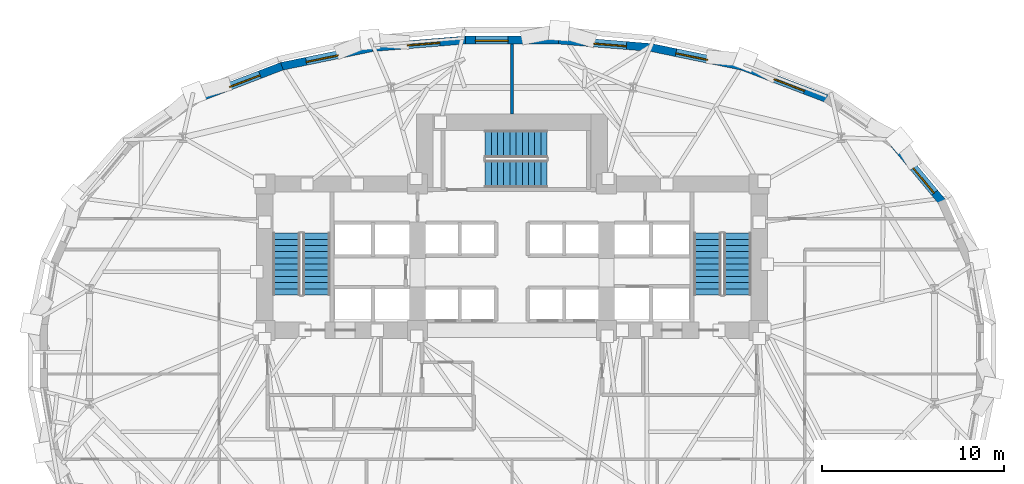
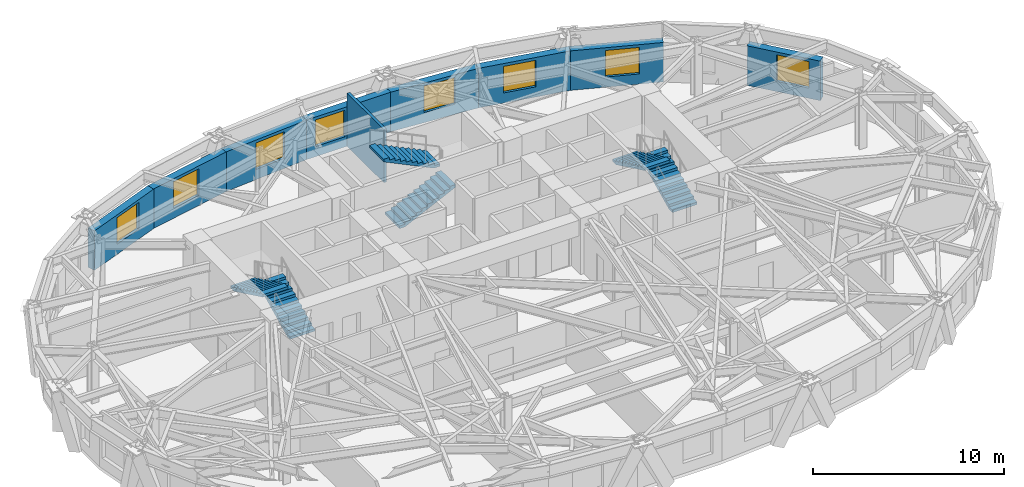
# One storey, part 9 of 13: 9 walls, 8 windows, 6 stair flights, 8 openings, 3 elements without a shape of their own.
"""IFC4 building model written with IfcOpenShell, lengths in metres."""

from ifc_helpers import new_model, si_unit, direction, frame, frame_2d, origin, place, context, subcontext, project, spatial, polyline, rectangle, outline, extrude, material, layer, layer_set, type_object, element, fill, aggregate, save


model = new_model("IFC4")

# Units and contexts
model_context = context("Model", 3, precision=1e-05, world=origin(), true_north=direction((0.0, 1.0)))
body_context = subcontext(model_context, "Body", "Model", "MODEL_VIEW")
ifc_project = project(units=[si_unit("LENGTHUNIT", "METRE"), si_unit("AREAUNIT", "SQUARE_METRE"), si_unit("VOLUMEUNIT", "CUBIC_METRE"), si_unit("PLANEANGLEUNIT", "RADIAN"), si_unit("MASSUNIT", "GRAM", prefix="KILO")], contexts=[model_context])

# Site, building, storey
site_placement = place(None, origin())
site = spatial("IfcSite", under=ifc_project, at=site_placement, CompositionType="ELEMENT")
building_placement = place(site_placement, origin())
building = spatial("IfcBuilding", under=site, at=building_placement, Name="Keldmark Tower", CompositionType="ELEMENT")
storey_placement = place(building_placement, frame((0.0, 0.0, 34.199951171875)))
storey = spatial("IfcBuildingStorey", under=building, at=storey_placement, Name="L08", CompositionType="ELEMENT", Elevation=34.199951171875)

# Wall
ifc_material_1 = material(Name="STC-58 Insulated Tenant Demising Gypsum Partition", Category="gypsum")
ifc_layer_1 = layer(ifc_material_1, 0.175048828125)
ifc_layer_set_1 = layer_set([ifc_layer_1], Name="STC-58 Insulated Tenant Demising Gypsum Partition")
wall_type_1 = type_object("IfcWallType", Name="Demising Suite Partition 175 mm", PredefinedType="PARTITIONING", material=ifc_layer_set_1)
wall_1_placement = place(storey_placement, frame((0.0, 13.300048828125, 0.0), z_axis=(0.0, 0.0, 1.0), x_axis=(0.0, 1.0, 0.0)))
element("IfcWall", 1, at=wall_1_placement, inside=storey, type_object=wall_type_1, Name="L08 Demising Suite Partition 175 mm N-MID-DIV", PredefinedType="PARTITIONING", context=body_context, shape_type="SweptSolid", body=[
    extrude(rectangle(XDim=3.84814453125, YDim=0.175048828125, at=frame_2d((1.924072265625, 0.0))), origin(), (0.0, 0.0, 1.0), 3.400146484375),
])

# Wall, opening, window
ifc_material_2 = material(Name="Ironspot Manganese Brick and Kasota Buff Limestone Spandrel Assembly", Category="masonry")
ifc_layer_2 = layer(ifc_material_2, 0.43994140625)
ifc_layer_set_2 = layer_set([ifc_layer_2], Name="Ironspot Manganese Brick and Kasota Buff Limestone Spandrel Assembly")
wall_type_2 = type_object("IfcWallType", Name="Tower Brick Pier and Spandrel Wall 440 mm", PredefinedType="STANDARD", material=ifc_layer_set_2)
wall_2_placement = place(storey_placement, frame((21.029296875, 11.640625, 0.0), z_axis=(0.0, 0.0, 1.0), x_axis=(0.64070435578, -0.767787684509, 0.0)))
wall_2 = element("IfcWall", 2, at=wall_2_placement, inside=storey, type_object=wall_type_2, Name="L08 Exterior Brick and Spandrel Wall 03", PredefinedType="STANDARD", context=body_context, shape_type="SweptSolid", body=[
    extrude(rectangle(XDim=4.109130859375, YDim=0.43994140625, at=frame_2d((2.0546875, 0.0))), origin(), (0.0, 0.0, 1.0), 2.532958984375),
])
opening_1_placement = place(wall_2_placement, frame((1.668701171875, 0.0, 0.64990234375)))
opening_1 = element("IfcOpeningElement", 3, at=opening_1_placement, cuts=wall_2, Name="Opening W-02", PredefinedType="OPENING", context=body_context, shape_type="SweptSolid", body=[
    extrude(rectangle(XDim=1.800048828125, YDim=1.699951171875, at=frame_2d((0.89990234375, 0.85009765625))), frame((0.0, 0.22998046875, 0.0), z_axis=(0.0, -1.0, 0.0), x_axis=(1.0, 0.0, 0.0)), (0.0, 0.0, 1.0), 0.4599609375),
])
ifc_material_3 = material(Name="Thermally Broken Anodized Aluminum and Triple Low-E Argon Glazing", Category="aluminium")
window_type = type_object("IfcWindowType", Name="Office Deep-Set Triple Window 1800x1700", PartitioningType="TRIPLE_PANEL_VERTICAL", PredefinedType="WINDOW", material=ifc_material_3)
window_1_placement = place(opening_1_placement, origin())
window_1 = element("IfcWindow", 4, at=window_1_placement, inside=storey, type_object=window_type, Name="L08 Deep-Set Window 03", OverallHeight=1.699951171875, OverallWidth=1.800048828125, PartitioningType="SINGLE_PANEL", PredefinedType="WINDOW", context=body_context, shape_type="SweptSolid", body=[
    extrude(rectangle(XDim=1.800048828125, YDim=1.699951171875, at=frame_2d((0.89990234375, 0.85009765625))), frame((0.0, -0.010009765625, 0.0), z_axis=(0.0, -1.0, 0.0), x_axis=(1.0, 0.0, 0.0)), (0.0, 0.0, 1.0), 0.06005859375),
])
fill(opening_1, window_1)

wall_3_placement = place(storey_placement, frame((12.659423828125, 15.93359375, 0.0), z_axis=(0.0, 0.0, 1.0), x_axis=(0.933928375579, -0.357460192592, 0.0)))
wall_3 = element("IfcWall", 5, at=wall_3_placement, inside=storey, type_object=wall_type_2, Name="L08 Exterior Brick and Spandrel Wall 05", PredefinedType="STANDARD", context=body_context, shape_type="SweptSolid", body=[
    extrude(rectangle(XDim=4.988525390625, YDim=0.43994140625, at=frame_2d((2.494140625, 0.0))), origin(), (0.0, 0.0, 1.0), 2.529052734375),
])
opening_2_placement = place(wall_3_placement, frame((1.89306640625, 0.0, 0.64990234375)))
opening_2 = element("IfcOpeningElement", 6, at=opening_2_placement, cuts=wall_3, Name="Opening W-02", PredefinedType="OPENING", context=body_context, shape_type="SweptSolid", body=[
    extrude(rectangle(XDim=1.800048828125, YDim=1.699951171875, at=frame_2d((0.89990234375, 0.85009765625))), frame((0.0, 0.22998046875, 0.0), z_axis=(0.0, -1.0, 0.0), x_axis=(1.0, 0.0, 0.0)), (0.0, 0.0, 1.0), 0.4599609375),
])
window_2_placement = place(opening_2_placement, origin())
window_2 = element("IfcWindow", 7, at=window_2_placement, inside=storey, type_object=window_type, Name="L08 Deep-Set Window 05", OverallHeight=1.699951171875, OverallWidth=1.800048828125, PartitioningType="SINGLE_PANEL", PredefinedType="WINDOW", context=body_context, shape_type="SweptSolid", body=[
    extrude(rectangle(XDim=1.800048828125, YDim=1.699951171875, at=frame_2d((0.89990234375, 0.85009765625))), frame((0.0, -0.010009765625, 0.0), z_axis=(0.0, -1.0, 0.0), x_axis=(1.0, 0.0, 0.0)), (0.0, 0.0, 1.0), 0.06005859375),
])
fill(opening_2, window_2)

wall_4_placement = place(storey_placement, frame((7.65087890625, 16.964599609375, 0.0), z_axis=(0.0, 0.0, 1.0), x_axis=(0.979349207435, -0.202175987437, 0.0)))
wall_4 = element("IfcWall", 8, at=wall_4_placement, inside=storey, type_object=wall_type_2, Name="L08 Exterior Brick and Spandrel Wall 06", PredefinedType="STANDARD", context=body_context, shape_type="SweptSolid", body=[
    extrude(rectangle(XDim=5.149169921875, YDim=0.43994140625, at=frame_2d((2.57470703125, 0.0))), origin(), (0.0, 0.0, 1.0), 2.532958984375),
])
opening_3_placement = place(wall_4_placement, frame((1.399658203125, 0.0, 0.64990234375)))
opening_3 = element("IfcOpeningElement", 9, at=opening_3_placement, cuts=wall_4, Name="Opening W-02", PredefinedType="OPENING", context=body_context, shape_type="SweptSolid", body=[
    extrude(rectangle(XDim=1.800048828125, YDim=1.699951171875, at=frame_2d((0.89990234375, 0.85009765625))), frame((0.0, 0.22998046875, 0.0), z_axis=(0.0, -1.0, 0.0), x_axis=(1.0, 0.0, 0.0)), (0.0, 0.0, 1.0), 0.4599609375),
])
window_3_placement = place(opening_3_placement, origin())
window_3 = element("IfcWindow", 10, at=window_3_placement, inside=storey, type_object=window_type, Name="L08 Deep-Set Window 06", OverallHeight=1.699951171875, OverallWidth=1.800048828125, PartitioningType="SINGLE_PANEL", PredefinedType="WINDOW", context=body_context, shape_type="SweptSolid", body=[
    extrude(rectangle(XDim=1.800048828125, YDim=1.699951171875, at=frame_2d((0.89990234375, 0.85009765625))), frame((0.0, -0.010009765625, 0.0), z_axis=(0.0, -1.0, 0.0), x_axis=(1.0, 0.0, 0.0)), (0.0, 0.0, 1.0), 0.06005859375),
])
fill(opening_3, window_3)

wall_5_placement = place(storey_placement, frame((2.541259765625, 17.376953125, 0.0), z_axis=(0.0, 0.0, 1.0), x_axis=(0.996732038622, -0.080778977367, 0.0)))
wall_5 = element("IfcWall", 11, at=wall_5_placement, inside=storey, type_object=wall_type_2, Name="L08 Exterior Brick and Spandrel Wall 07", PredefinedType="STANDARD", context=body_context, shape_type="SweptSolid", body=[
    extrude(rectangle(XDim=5.153076171875, YDim=0.43994140625, at=frame_2d((2.57666015625, 0.0))), origin(), (0.0, 0.0, 1.0), 2.532958984375),
])
opening_4_placement = place(wall_5_placement, frame((1.971923828125, 0.0, 0.64990234375)))
opening_4 = element("IfcOpeningElement", 12, at=opening_4_placement, cuts=wall_5, Name="Opening W-02", PredefinedType="OPENING", context=body_context, shape_type="SweptSolid", body=[
    extrude(rectangle(XDim=1.800048828125, YDim=1.699951171875, at=frame_2d((0.89990234375, 0.85009765625))), frame((0.0, 0.22998046875, 0.0), z_axis=(0.0, -1.0, 0.0), x_axis=(1.0, 0.0, 0.0)), (0.0, 0.0, 1.0), 0.4599609375),
])
window_4_placement = place(opening_4_placement, origin())
window_4 = element("IfcWindow", 13, at=window_4_placement, inside=storey, type_object=window_type, Name="L08 Deep-Set Window 07", OverallHeight=1.699951171875, OverallWidth=1.800048828125, PartitioningType="SINGLE_PANEL", PredefinedType="WINDOW", context=body_context, shape_type="SweptSolid", body=[
    extrude(rectangle(XDim=1.800048828125, YDim=1.699951171875, at=frame_2d((0.89990234375, 0.85009765625))), frame((0.0, -0.010009765625, 0.0), z_axis=(0.0, -1.0, 0.0), x_axis=(1.0, 0.0, 0.0)), (0.0, 0.0, 1.0), 0.06005859375),
])
fill(opening_4, window_4)

wall_6_placement = place(storey_placement, frame((-2.55908203125, 17.376220703125, 0.0), z_axis=(0.0, 0.0, 1.0), x_axis=(1.0, 0.0, 0.0)))
wall_6 = element("IfcWall", 14, at=wall_6_placement, inside=storey, type_object=wall_type_2, Name="L08 Exterior Brick and Spandrel Wall 08", PredefinedType="STANDARD", context=body_context, shape_type="SweptSolid", body=[
    extrude(rectangle(XDim=5.1181640625, YDim=0.43994140625, at=frame_2d((2.55908203125, 0.0))), origin(), (0.0, 0.0, 1.0), 2.532958984375),
])
opening_5_placement = place(wall_6_placement, frame((0.546142578125, 0.0, 0.64990234375)))
opening_5 = element("IfcOpeningElement", 15, at=opening_5_placement, cuts=wall_6, Name="Opening W-02", PredefinedType="OPENING", context=body_context, shape_type="SweptSolid", body=[
    extrude(rectangle(XDim=1.800048828125, YDim=1.699951171875, at=frame_2d((0.89990234375, 0.85009765625))), frame((0.0, 0.22998046875, 0.0), z_axis=(0.0, -1.0, 0.0), x_axis=(1.0, 0.0, 0.0)), (0.0, 0.0, 1.0), 0.4599609375),
])
window_5_placement = place(opening_5_placement, origin())
window_5 = element("IfcWindow", 16, at=window_5_placement, inside=storey, type_object=window_type, Name="L08 Deep-Set Window 08", OverallHeight=1.699951171875, OverallWidth=1.800048828125, PartitioningType="SINGLE_PANEL", PredefinedType="WINDOW", context=body_context, shape_type="SweptSolid", body=[
    extrude(rectangle(XDim=1.800048828125, YDim=1.699951171875, at=frame_2d((0.89990234375, 0.85009765625))), frame((0.0, -0.010009765625, 0.0), z_axis=(0.0, -1.0, 0.0), x_axis=(1.0, 0.0, 0.0)), (0.0, 0.0, 1.0), 0.06005859375),
])
fill(opening_5, window_5)

wall_7_placement = place(storey_placement, frame((-7.677490234375, 16.960693359375, 0.0), z_axis=(0.0, 0.0, 1.0), x_axis=(0.996732038622, 0.080778977367, 0.0)))
wall_7 = element("IfcWall", 17, at=wall_7_placement, inside=storey, type_object=wall_type_2, Name="L08 Exterior Brick and Spandrel Wall 09", PredefinedType="STANDARD", context=body_context, shape_type="SweptSolid", body=[
    extrude(rectangle(XDim=5.153076171875, YDim=0.43994140625, at=frame_2d((2.57666015625, 0.0))), origin(), (0.0, 0.0, 1.0), 2.532958984375),
])
opening_6_placement = place(wall_7_placement, frame((1.922607421875, 0.0, 0.64990234375)))
opening_6 = element("IfcOpeningElement", 18, at=opening_6_placement, cuts=wall_7, Name="Opening W-02", PredefinedType="OPENING", context=body_context, shape_type="SweptSolid", body=[
    extrude(rectangle(XDim=1.800048828125, YDim=1.699951171875, at=frame_2d((0.89990234375, 0.85009765625))), frame((0.0, 0.22998046875, 0.0), z_axis=(0.0, -1.0, 0.0), x_axis=(1.0, 0.0, 0.0)), (0.0, 0.0, 1.0), 0.4599609375),
])
window_6_placement = place(opening_6_placement, origin())
window_6 = element("IfcWindow", 19, at=window_6_placement, inside=storey, type_object=window_type, Name="L08 Deep-Set Window 09", OverallHeight=1.699951171875, OverallWidth=1.800048828125, PartitioningType="SINGLE_PANEL", PredefinedType="WINDOW", context=body_context, shape_type="SweptSolid", body=[
    extrude(rectangle(XDim=1.800048828125, YDim=1.699951171875, at=frame_2d((0.89990234375, 0.85009765625))), frame((0.0, -0.010009765625, 0.0), z_axis=(0.0, -1.0, 0.0), x_axis=(1.0, 0.0, 0.0)), (0.0, 0.0, 1.0), 0.06005859375),
])
fill(opening_6, window_6)

wall_8_placement = place(storey_placement, frame((-12.693603515625, 15.923583984375, 0.0), z_axis=(0.0, 0.0, 1.0), x_axis=(0.979349207435, 0.202175987437, 0.0)))
wall_8 = element("IfcWall", 20, at=wall_8_placement, inside=storey, type_object=wall_type_2, Name="L08 Exterior Brick and Spandrel Wall 10", PredefinedType="STANDARD", context=body_context, shape_type="SweptSolid", body=[
    extrude(rectangle(XDim=5.149169921875, YDim=0.43994140625, at=frame_2d((2.57470703125, 0.0))), origin(), (0.0, 0.0, 1.0), 2.532958984375),
])
opening_7_placement = place(wall_8_placement, frame((1.399658203125, 0.0, 0.64990234375)))
opening_7 = element("IfcOpeningElement", 21, at=opening_7_placement, cuts=wall_8, Name="Opening W-02", PredefinedType="OPENING", context=body_context, shape_type="SweptSolid", body=[
    extrude(rectangle(XDim=1.800048828125, YDim=1.699951171875, at=frame_2d((0.89990234375, 0.85009765625))), frame((0.0, 0.22998046875, 0.0), z_axis=(0.0, -1.0, 0.0), x_axis=(1.0, 0.0, 0.0)), (0.0, 0.0, 1.0), 0.4599609375),
])
window_7_placement = place(opening_7_placement, origin())
window_7 = element("IfcWindow", 22, at=window_7_placement, inside=storey, type_object=window_type, Name="L08 Deep-Set Window 10", OverallHeight=1.699951171875, OverallWidth=1.800048828125, PartitioningType="SINGLE_PANEL", PredefinedType="WINDOW", context=body_context, shape_type="SweptSolid", body=[
    extrude(rectangle(XDim=1.800048828125, YDim=1.699951171875, at=frame_2d((0.89990234375, 0.85009765625))), frame((0.0, -0.010009765625, 0.0), z_axis=(0.0, -1.0, 0.0), x_axis=(1.0, 0.0, 0.0)), (0.0, 0.0, 1.0), 0.06005859375),
])
fill(opening_7, window_7)

wall_9_placement = place(storey_placement, frame((-17.318359375, 14.150390625, 0.0), z_axis=(0.0, 0.0, 1.0), x_axis=(0.933928375579, 0.357460192592, 0.0)))
wall_9 = element("IfcWall", 23, at=wall_9_placement, inside=storey, type_object=wall_type_2, Name="L08 Exterior Brick and Spandrel Wall 11", PredefinedType="STANDARD", context=body_context, shape_type="SweptSolid", body=[
    extrude(rectangle(XDim=4.988525390625, YDim=0.43994140625, at=frame_2d((2.494140625, 0.0))), origin(), (0.0, 0.0, 1.0), 2.529052734375),
])
opening_8_placement = place(wall_9_placement, frame((1.89306640625, 0.0, 0.64990234375)))
opening_8 = element("IfcOpeningElement", 24, at=opening_8_placement, cuts=wall_9, Name="Opening W-02", PredefinedType="OPENING", context=body_context, shape_type="SweptSolid", body=[
    extrude(rectangle(XDim=1.800048828125, YDim=1.699951171875, at=frame_2d((0.89990234375, 0.85009765625))), frame((0.0, 0.22998046875, 0.0), z_axis=(0.0, -1.0, 0.0), x_axis=(1.0, 0.0, 0.0)), (0.0, 0.0, 1.0), 0.4599609375),
])
window_8_placement = place(opening_8_placement, origin())
window_8 = element("IfcWindow", 25, at=window_8_placement, inside=storey, type_object=window_type, Name="L08 Deep-Set Window 11", OverallHeight=1.699951171875, OverallWidth=1.800048828125, PartitioningType="SINGLE_PANEL", PredefinedType="WINDOW", context=body_context, shape_type="SweptSolid", body=[
    extrude(rectangle(XDim=1.800048828125, YDim=1.699951171875, at=frame_2d((0.89990234375, 0.85009765625))), frame((0.0, -0.010009765625, 0.0), z_axis=(0.0, -1.0, 0.0), x_axis=(1.0, 0.0, 0.0)), (0.0, 0.0, 1.0), 0.06005859375),
])
fill(opening_8, window_8)

# Stair, stair flights
ifc_material_4 = material(Name="Concrete C40/50", Category="concrete")
stair_type = type_object("IfcStairType", Name="Precast Concrete Core Exit Stair", PredefinedType="HALF_TURN_STAIR", material=ifc_material_4)
stair_1_placement = place(storey_placement, origin())
stair_1 = element("IfcStair", 26, at=stair_1_placement, inside=storey, type_object=stair_type, Name="L08 Exit Stair ST1", PredefinedType="HALF_TURN_STAIR")
ifc_material_5 = material(Name="Concrete C40/50", Category="concrete")
stair_flight_type = type_object("IfcStairFlightType", Name="Precast Concrete Stair Flight 1500 mm", PredefinedType="STRAIGHT", material=ifc_material_5)
stair_flight_1_placement = place(storey_placement, frame((-10.75, 3.35009765625, 0.0), z_axis=(0.0, 0.0, 1.0), x_axis=(0.0, 1.0, 0.0)))
stair_flight_1 = element("IfcStairFlight", 27, at=stair_flight_1_placement, type_object=stair_flight_type, Name="ST1 flight 1", NumberOfRisers=11, NumberOfTreads=10, PredefinedType="STRAIGHT", RiserHeight=0.163636364, TreadLength=0.34, context=body_context, shape_type="SweptSolid", body=[
    extrude(outline(polyline([(0.0, 0.0), (0.0, 0.16357421875), (0.340087890625, 0.16357421875), (0.340087890625, 0.327392578125), (0.679931640625, 0.327392578125), (0.679931640625, 0.490966796875), (1.02001953125, 0.490966796875), (1.02001953125, 0.654541015625), (1.360107421875, 0.654541015625), (1.360107421875, 0.818115234375), (1.699951171875, 0.818115234375), (1.699951171875, 0.98193359375), (2.0400390625, 0.98193359375), (2.0400390625, 1.1455078125), (2.3798828125, 1.1455078125), (2.3798828125, 1.30908203125), (2.719970703125, 1.30908203125), (2.719970703125, 1.47265625), (3.06005859375, 1.47265625), (3.06005859375, 1.636474609375), (3.39990234375, 1.636474609375), (3.39990234375, 1.800048828125), (3.39990234375, 1.469970703125), (0.345703125, 0.0), (0.0, 0.0)])), frame((0.0, 0.75, 0.0), z_axis=(0.0, -1.0, 0.0), x_axis=(1.0, 0.0, 0.0)), (0.0, 0.0, 1.0), 1.5),
])
stair_flight_2_placement = place(storey_placement, frame((-12.39990234375, 6.75, 1.800048828125), z_axis=(0.0, 0.0, 1.0), x_axis=(0.0, -1.0, 0.0)))
stair_flight_2 = element("IfcStairFlight", 28, at=stair_flight_2_placement, type_object=stair_flight_type, Name="ST1 flight 2", NumberOfRisers=11, NumberOfTreads=10, PredefinedType="STRAIGHT", RiserHeight=0.163636364, TreadLength=0.34, context=body_context, shape_type="SweptSolid", body=[
    extrude(outline(polyline([(0.0, 0.0), (0.0, 0.16357421875), (0.340087890625, 0.16357421875), (0.340087890625, 0.327392578125), (0.679931640625, 0.327392578125), (0.679931640625, 0.490966796875), (1.02001953125, 0.490966796875), (1.02001953125, 0.654541015625), (1.360107421875, 0.654541015625), (1.360107421875, 0.818115234375), (1.699951171875, 0.818115234375), (1.699951171875, 0.98193359375), (2.0400390625, 0.98193359375), (2.0400390625, 1.1455078125), (2.3798828125, 1.1455078125), (2.3798828125, 1.30908203125), (2.719970703125, 1.30908203125), (2.719970703125, 1.47265625), (3.06005859375, 1.47265625), (3.06005859375, 1.636474609375), (3.39990234375, 1.636474609375), (3.39990234375, 1.800048828125), (3.39990234375, 1.469970703125), (0.345703125, 0.0), (0.0, 0.0)])), frame((0.0, 0.75, 0.0), z_axis=(0.0, -1.0, 0.0), x_axis=(1.0, 0.0, 0.0)), (0.0, 0.0, 1.0), 1.5),
])
aggregate(stair_1, [stair_flight_1, stair_flight_2])

stair_2_placement = place(storey_placement, origin())
stair_2 = element("IfcStair", 29, at=stair_2_placement, inside=storey, type_object=stair_type, Name="L08 Exit Stair ST2", PredefinedType="HALF_TURN_STAIR")
stair_flight_3_placement = place(storey_placement, frame((12.39990234375, 3.35009765625, 0.0), z_axis=(0.0, 0.0, 1.0), x_axis=(0.0, 1.0, 0.0)))
stair_flight_3 = element("IfcStairFlight", 30, at=stair_flight_3_placement, type_object=stair_flight_type, Name="ST2 flight 1", NumberOfRisers=11, NumberOfTreads=10, PredefinedType="STRAIGHT", RiserHeight=0.163636364, TreadLength=0.34, context=body_context, shape_type="SweptSolid", body=[
    extrude(outline(polyline([(0.0, 0.0), (0.0, 0.16357421875), (0.340087890625, 0.16357421875), (0.340087890625, 0.327392578125), (0.679931640625, 0.327392578125), (0.679931640625, 0.490966796875), (1.02001953125, 0.490966796875), (1.02001953125, 0.654541015625), (1.360107421875, 0.654541015625), (1.360107421875, 0.818115234375), (1.699951171875, 0.818115234375), (1.699951171875, 0.98193359375), (2.0400390625, 0.98193359375), (2.0400390625, 1.1455078125), (2.3798828125, 1.1455078125), (2.3798828125, 1.30908203125), (2.719970703125, 1.30908203125), (2.719970703125, 1.47265625), (3.06005859375, 1.47265625), (3.06005859375, 1.636474609375), (3.39990234375, 1.636474609375), (3.39990234375, 1.800048828125), (3.39990234375, 1.469970703125), (0.345703125, 0.0), (0.0, 0.0)])), frame((0.0, 0.75, 0.0), z_axis=(0.0, -1.0, 0.0), x_axis=(1.0, 0.0, 0.0)), (0.0, 0.0, 1.0), 1.5),
])
stair_flight_4_placement = place(storey_placement, frame((10.75, 6.75, 1.800048828125), z_axis=(0.0, 0.0, 1.0), x_axis=(0.0, -1.0, 0.0)))
stair_flight_4 = element("IfcStairFlight", 31, at=stair_flight_4_placement, type_object=stair_flight_type, Name="ST2 flight 2", NumberOfRisers=11, NumberOfTreads=10, PredefinedType="STRAIGHT", RiserHeight=0.163636364, TreadLength=0.34, context=body_context, shape_type="SweptSolid", body=[
    extrude(outline(polyline([(0.0, 0.0), (0.0, 0.16357421875), (0.340087890625, 0.16357421875), (0.340087890625, 0.327392578125), (0.679931640625, 0.327392578125), (0.679931640625, 0.490966796875), (1.02001953125, 0.490966796875), (1.02001953125, 0.654541015625), (1.360107421875, 0.654541015625), (1.360107421875, 0.818115234375), (1.699951171875, 0.818115234375), (1.699951171875, 0.98193359375), (2.0400390625, 0.98193359375), (2.0400390625, 1.1455078125), (2.3798828125, 1.1455078125), (2.3798828125, 1.30908203125), (2.719970703125, 1.30908203125), (2.719970703125, 1.47265625), (3.06005859375, 1.47265625), (3.06005859375, 1.636474609375), (3.39990234375, 1.636474609375), (3.39990234375, 1.800048828125), (3.39990234375, 1.469970703125), (0.345703125, 0.0), (0.0, 0.0)])), frame((0.0, 0.75, 0.0), z_axis=(0.0, -1.0, 0.0), x_axis=(1.0, 0.0, 0.0)), (0.0, 0.0, 1.0), 1.5),
])
aggregate(stair_2, [stair_flight_3, stair_flight_4])

stair_3_placement = place(storey_placement, origin())
stair_3 = element("IfcStair", 32, at=stair_3_placement, inside=storey, type_object=stair_type, Name="L08 Exit Stair ST3", PredefinedType="HALF_TURN_STAIR")
stair_flight_5_placement = place(storey_placement, frame((-1.47509765625, 10.0, 0.0), z_axis=(0.0, 0.0, 1.0), x_axis=(1.0, 0.0, 0.0)))
stair_flight_5 = element("IfcStairFlight", 33, at=stair_flight_5_placement, type_object=stair_flight_type, Name="ST3 flight 1", NumberOfRisers=11, NumberOfTreads=10, PredefinedType="STRAIGHT", RiserHeight=0.163636364, TreadLength=0.34, context=body_context, shape_type="SweptSolid", body=[
    extrude(outline(polyline([(0.0, 0.0), (0.0, 0.16357421875), (0.340087890625, 0.16357421875), (0.340087890625, 0.327392578125), (0.679931640625, 0.327392578125), (0.679931640625, 0.490966796875), (1.02001953125, 0.490966796875), (1.02001953125, 0.654541015625), (1.360107421875, 0.654541015625), (1.360107421875, 0.818115234375), (1.699951171875, 0.818115234375), (1.699951171875, 0.98193359375), (2.0400390625, 0.98193359375), (2.0400390625, 1.1455078125), (2.3798828125, 1.1455078125), (2.3798828125, 1.30908203125), (2.719970703125, 1.30908203125), (2.719970703125, 1.47265625), (3.06005859375, 1.47265625), (3.06005859375, 1.636474609375), (3.39990234375, 1.636474609375), (3.39990234375, 1.800048828125), (3.39990234375, 1.469970703125), (0.345703125, 0.0), (0.0, 0.0)])), frame((0.0, 0.75, 0.0), z_axis=(0.0, -1.0, 0.0), x_axis=(1.0, 0.0, 0.0)), (0.0, 0.0, 1.0), 1.5),
])
stair_flight_6_placement = place(storey_placement, frame((1.925048828125, 11.64990234375, 1.800048828125), z_axis=(0.0, 0.0, 1.0), x_axis=(-1.0, 0.0, 0.0)))
stair_flight_6 = element("IfcStairFlight", 34, at=stair_flight_6_placement, type_object=stair_flight_type, Name="ST3 flight 2", NumberOfRisers=11, NumberOfTreads=10, PredefinedType="STRAIGHT", RiserHeight=0.163636364, TreadLength=0.34, context=body_context, shape_type="SweptSolid", body=[
    extrude(outline(polyline([(0.0, 0.0), (0.0, 0.16357421875), (0.340087890625, 0.16357421875), (0.340087890625, 0.327392578125), (0.679931640625, 0.327392578125), (0.679931640625, 0.490966796875), (1.02001953125, 0.490966796875), (1.02001953125, 0.654541015625), (1.360107421875, 0.654541015625), (1.360107421875, 0.818115234375), (1.699951171875, 0.818115234375), (1.699951171875, 0.98193359375), (2.0400390625, 0.98193359375), (2.0400390625, 1.1455078125), (2.3798828125, 1.1455078125), (2.3798828125, 1.30908203125), (2.719970703125, 1.30908203125), (2.719970703125, 1.47265625), (3.06005859375, 1.47265625), (3.06005859375, 1.636474609375), (3.39990234375, 1.636474609375), (3.39990234375, 1.800048828125), (3.39990234375, 1.469970703125), (0.345703125, 0.0), (0.0, 0.0)])), frame((0.0, 0.75, 0.0), z_axis=(0.0, -1.0, 0.0), x_axis=(1.0, 0.0, 0.0)), (0.0, 0.0, 1.0), 1.5),
])
aggregate(stair_3, [stair_flight_5, stair_flight_6])

save(model, "model.ifc")
